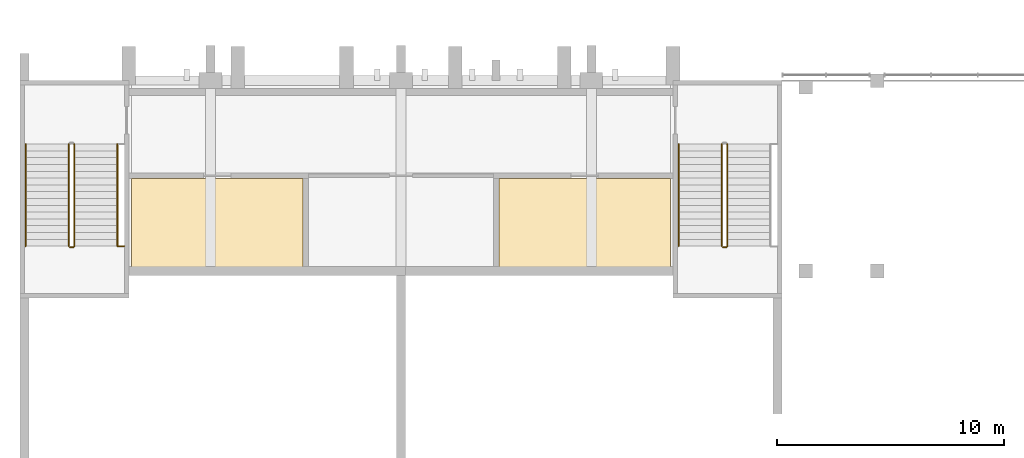
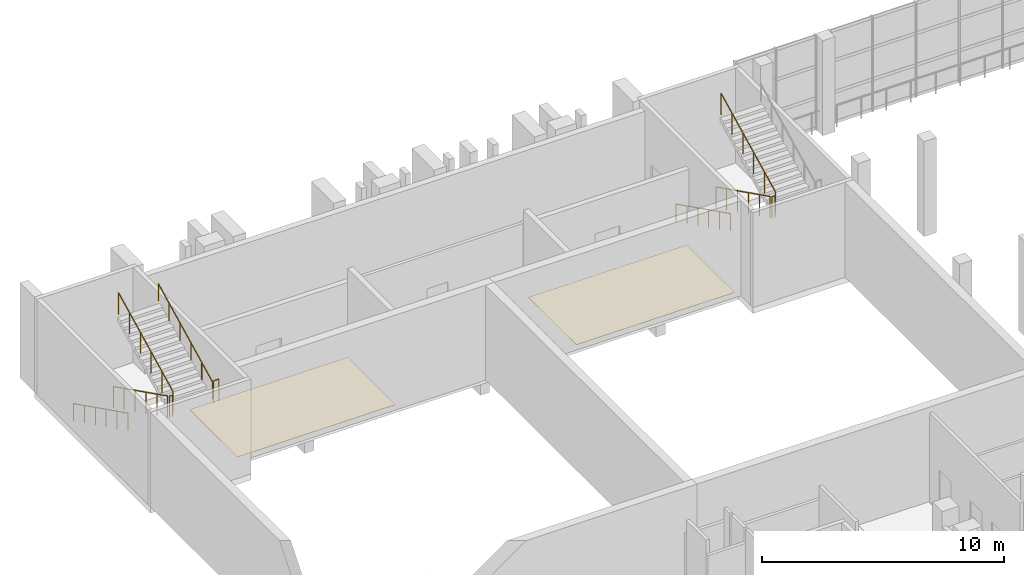
# One storey, part 73 of 91: 10 railings, 2 coverings.
"""IFC4 building model written with IfcOpenShell, lengths in metres."""

from ifc_helpers import new_model, si_unit, direction, frame, origin, origin_2d, place, context, subcontext, project, spatial, polyline, circle, outline, extrude, material, layer, layer_set, type_object, element, save


model = new_model("IFC4")

# Units and contexts
model_context = context("Model", 3, precision=1e-05, world=origin(), true_north=direction((0.0, 1.0)))
body_context = subcontext(model_context, "Body", "Model", "MODEL_VIEW")
ifc_project = project(units=[si_unit("LENGTHUNIT", "METRE"), si_unit("AREAUNIT", "SQUARE_METRE"), si_unit("VOLUMEUNIT", "CUBIC_METRE"), si_unit("PLANEANGLEUNIT", "RADIAN"), si_unit("MASSUNIT", "GRAM", prefix="KILO")], contexts=[model_context])

# Site, building, storey
site_placement = place(None, origin())
site = spatial("IfcSite", under=ifc_project, at=site_placement, CompositionType="ELEMENT")
building_placement = place(site_placement, origin())
building = spatial("IfcBuilding", under=site, at=building_placement, Name="Kiln Court Media Centre", CompositionType="ELEMENT")
storey_placement = place(building_placement, frame((0.0, 0.0, 5.39990234375)))
storey = spatial("IfcBuildingStorey", under=building, at=storey_placement, Name="L01", CompositionType="ELEMENT", Elevation=5.39990234375)

# Coverings
ifc_material_1 = material(Name="Carpet tile")
ifc_layer = layer(ifc_material_1, 0.014892578125)
ifc_layer_set = layer_set([ifc_layer], Name="Carpet tile floor finish 15")
covering_type = type_object("IfcCoveringType", Name="Carpet tile floor finish 15", PredefinedType="FLOORING", material=ifc_layer_set)
covering_1_placement = place(storey_placement, origin())
element("IfcCovering", 1, at=covering_1_placement, inside=storey, type_object=covering_type, Name="Projection Room Screen 3 floor finish", PredefinedType="FLOORING", context=body_context, shape_type="SweptSolid", body=[
    extrude(outline(polyline([(12.47998046875, 62.8798828125), (4.919921875, 62.8798828125), (4.919921875, 58.919921875), (12.47998046875, 58.919921875), (12.47998046875, 62.8798828125)])), origin(), (0.0, 0.0, 1.0), 0.01513671875),
])
covering_2_placement = place(storey_placement, origin())
element("IfcCovering", 2, at=covering_2_placement, inside=storey, type_object=covering_type, Name="Projection Room Screen 4 floor finish", PredefinedType="FLOORING", context=body_context, shape_type="SweptSolid", body=[
    extrude(outline(polyline([(21.1201171875, 58.919921875), (28.679931640625, 58.919921875), (28.679931640625, 62.8798828125), (21.1201171875, 62.8798828125), (21.1201171875, 58.919921875)])), origin(), (0.0, 0.0, 1.0), 0.01513671875),
])

# Railings
ifc_material_2 = material(Name="Steel S275", Category="steel")
railing_type_1 = type_object("IfcRailingType", Name="Steel S275 stair guard 1100", PredefinedType="GUARDRAIL", material=ifc_material_2)
railing_1_placement = place(storey_placement, frame((2.14990234375, 64.39990234375, 0.150146484375)))
element("IfcRailing", 3, at=railing_1_placement, inside=storey, type_object=railing_type_1, Name="ST-07 stair guard", PredefinedType="GUARDRAIL", context=body_context, shape_type="SweptSolid", body=[
    extrude(circle(Radius=0.02392578125, at=origin_2d()), frame((0.0, 0.0, 1.076171875), z_axis=(0.0, -0.894427191, 0.4472135955), x_axis=(1.0, 0.0, 0.0)), (0.0, 0.0, 1.0), 5.03125),
    extrude(circle(Radius=0.02099609375, at=origin_2d()), origin(), (0.0, 0.0, 1.0), 1.052001953125),
    extrude(circle(Radius=0.02099609375, at=origin_2d()), frame((0.0, -0.89990234375, 0.449951171875)), (0.0, 0.0, 1.0), 1.052001953125),
    extrude(circle(Radius=0.02099609375, at=origin_2d()), frame((0.0, -1.800048828125, 0.89990234375)), (0.0, 0.0, 1.0), 1.052001953125),
    extrude(circle(Radius=0.02099609375, at=origin_2d()), frame((0.0, -2.699951171875, 1.35009765625)), (0.0, 0.0, 1.0), 1.052001953125),
    extrude(circle(Radius=0.02099609375, at=origin_2d()), frame((0.0, -3.60009765625, 1.800048828125)), (0.0, 0.0, 1.0), 1.052001953125),
    extrude(circle(Radius=0.02099609375, at=origin_2d()), frame((0.0, -4.5, 2.25)), (0.0, 0.0, 1.0), 1.052001953125),
])
railing_2_placement = place(storey_placement, frame((2.199951171875, 59.85009765625, 2.400146484375)))
element("IfcRailing", 4, at=railing_2_placement, inside=storey, type_object=railing_type_1, Name="ST-07 stair guard", PredefinedType="GUARDRAIL", context=body_context, shape_type="SweptSolid", body=[
    extrude(circle(Radius=0.02392578125, at=origin_2d()), frame((0.0, 0.0, 1.076171875), z_axis=(1.0, 0.0, 0.0), x_axis=(0.0, 1.0, 0.0)), (0.0, 0.0, 1.0), 0.150146484375),
    extrude(circle(Radius=0.02099609375, at=origin_2d()), origin(), (0.0, 0.0, 1.0), 1.052001953125),
    extrude(circle(Radius=0.02099609375, at=origin_2d()), frame((0.150146484375, 0.0, 0.0)), (0.0, 0.0, 1.0), 1.052001953125),
])
railing_3_placement = place(storey_placement, frame((2.39990234375, 59.89990234375, 2.550048828125)))
element("IfcRailing", 5, at=railing_3_placement, inside=storey, type_object=railing_type_1, Name="ST-07 stair guard", PredefinedType="GUARDRAIL", context=body_context, shape_type="SweptSolid", body=[
    extrude(circle(Radius=0.02392578125, at=origin_2d()), frame((0.0, 0.0, 1.076171875), z_axis=(0.0, 0.894427191, 0.4472135955), x_axis=(-1.0, 0.0, 0.0)), (0.0, 0.0, 1.0), 5.03125),
    extrude(circle(Radius=0.02099609375, at=origin_2d()), origin(), (0.0, 0.0, 1.0), 1.052001953125),
    extrude(circle(Radius=0.02099609375, at=origin_2d()), frame((0.0, 0.89990234375, 0.449951171875)), (0.0, 0.0, 1.0), 1.052001953125),
    extrude(circle(Radius=0.02099609375, at=origin_2d()), frame((0.0, 1.800048828125, 0.89990234375)), (0.0, 0.0, 1.0), 1.052001953125),
    extrude(circle(Radius=0.02099609375, at=origin_2d()), frame((0.0, 2.699951171875, 1.35009765625)), (0.0, 0.0, 1.0), 1.052001953125),
    extrude(circle(Radius=0.02099609375, at=origin_2d()), frame((0.0, 3.60009765625, 1.800048828125)), (0.0, 0.0, 1.0), 1.052001953125),
    extrude(circle(Radius=0.02099609375, at=origin_2d()), frame((0.0, 4.5, 2.25)), (0.0, 0.0, 1.0), 1.052001953125),
])
railing_4_placement = place(storey_placement, frame((4.35009765625, 59.89990234375, 2.400146484375)))
element("IfcRailing", 6, at=railing_4_placement, inside=storey, type_object=railing_type_1, Name="ST-07 landing edge guard", PredefinedType="GUARDRAIL", context=body_context, shape_type="SweptSolid", body=[
    extrude(circle(Radius=0.02392578125, at=origin_2d()), frame((0.0, 0.0, 1.076171875), z_axis=(1.0, 0.0, 0.0), x_axis=(0.0, 1.0, 0.0)), (0.0, 0.0, 1.0), 0.25),
    extrude(circle(Radius=0.02099609375, at=origin_2d()), origin(), (0.0, 0.0, 1.0), 1.052001953125),
    extrude(circle(Radius=0.02099609375, at=origin_2d()), frame((0.25, 0.0, 0.0)), (0.0, 0.0, 1.0), 1.052001953125),
])
railing_5_placement = place(storey_placement, frame((30.949951171875, 64.39990234375, 0.150146484375)))
element("IfcRailing", 7, at=railing_5_placement, inside=storey, type_object=railing_type_1, Name="ST-08 stair guard", PredefinedType="GUARDRAIL", context=body_context, shape_type="SweptSolid", body=[
    extrude(circle(Radius=0.02392578125, at=origin_2d()), frame((0.0, 0.0, 1.076171875), z_axis=(0.0, -0.894427191, 0.4472135955), x_axis=(1.0, 0.0, 0.0)), (0.0, 0.0, 1.0), 5.03125),
    extrude(circle(Radius=0.02099609375, at=origin_2d()), origin(), (0.0, 0.0, 1.0), 1.052001953125),
    extrude(circle(Radius=0.02099609375, at=origin_2d()), frame((0.0, -0.89990234375, 0.449951171875)), (0.0, 0.0, 1.0), 1.052001953125),
    extrude(circle(Radius=0.02099609375, at=origin_2d()), frame((0.0, -1.800048828125, 0.89990234375)), (0.0, 0.0, 1.0), 1.052001953125),
    extrude(circle(Radius=0.02099609375, at=origin_2d()), frame((0.0, -2.699951171875, 1.35009765625)), (0.0, 0.0, 1.0), 1.052001953125),
    extrude(circle(Radius=0.02099609375, at=origin_2d()), frame((0.0, -3.60009765625, 1.800048828125)), (0.0, 0.0, 1.0), 1.052001953125),
    extrude(circle(Radius=0.02099609375, at=origin_2d()), frame((0.0, -4.5, 2.25)), (0.0, 0.0, 1.0), 1.052001953125),
])
railing_6_placement = place(storey_placement, frame((31.0, 59.85009765625, 2.400146484375)))
element("IfcRailing", 8, at=railing_6_placement, inside=storey, type_object=railing_type_1, Name="ST-08 stair guard", PredefinedType="GUARDRAIL", context=body_context, shape_type="SweptSolid", body=[
    extrude(circle(Radius=0.02392578125, at=origin_2d()), frame((0.0, 0.0, 1.076171875), z_axis=(1.0, 0.0, 0.0), x_axis=(0.0, 1.0, 0.0)), (0.0, 0.0, 1.0), 0.14990234375),
    extrude(circle(Radius=0.02099609375, at=origin_2d()), origin(), (0.0, 0.0, 1.0), 1.052001953125),
    extrude(circle(Radius=0.02099609375, at=origin_2d()), frame((0.14990234375, 0.0, 0.0)), (0.0, 0.0, 1.0), 1.052001953125),
])
railing_7_placement = place(storey_placement, frame((31.199951171875, 59.89990234375, 2.550048828125)))
element("IfcRailing", 9, at=railing_7_placement, inside=storey, type_object=railing_type_1, Name="ST-08 stair guard", PredefinedType="GUARDRAIL", context=body_context, shape_type="SweptSolid", body=[
    extrude(circle(Radius=0.02392578125, at=origin_2d()), frame((0.0, 0.0, 1.076171875), z_axis=(0.0, 0.894427191, 0.4472135955), x_axis=(-1.0, 0.0, 0.0)), (0.0, 0.0, 1.0), 5.03125),
    extrude(circle(Radius=0.02099609375, at=origin_2d()), origin(), (0.0, 0.0, 1.0), 1.052001953125),
    extrude(circle(Radius=0.02099609375, at=origin_2d()), frame((0.0, 0.89990234375, 0.449951171875)), (0.0, 0.0, 1.0), 1.052001953125),
    extrude(circle(Radius=0.02099609375, at=origin_2d()), frame((0.0, 1.800048828125, 0.89990234375)), (0.0, 0.0, 1.0), 1.052001953125),
    extrude(circle(Radius=0.02099609375, at=origin_2d()), frame((0.0, 2.699951171875, 1.35009765625)), (0.0, 0.0, 1.0), 1.052001953125),
    extrude(circle(Radius=0.02099609375, at=origin_2d()), frame((0.0, 3.60009765625, 1.800048828125)), (0.0, 0.0, 1.0), 1.052001953125),
    extrude(circle(Radius=0.02099609375, at=origin_2d()), frame((0.0, 4.5, 2.25)), (0.0, 0.0, 1.0), 1.052001953125),
])
ifc_material_3 = material(Name="Steel S275", Category="steel")
railing_type_2 = type_object("IfcRailingType", Name="Steel S275 stair handrail 900", PredefinedType="HANDRAIL", material=ifc_material_3)
railing_8_placement = place(storey_placement, frame((0.25, 64.39990234375, 0.150146484375)))
element("IfcRailing", 10, at=railing_8_placement, inside=storey, type_object=railing_type_2, Name="ST-07 stair handrail", PredefinedType="HANDRAIL", context=body_context, shape_type="SweptSolid", body=[
    extrude(circle(Radius=0.02392578125, at=origin_2d()), frame((0.0, 0.0, 0.8759765625), z_axis=(0.0, -0.894427191, 0.4472135955), x_axis=(1.0, 0.0, 0.0)), (0.0, 0.0, 1.0), 5.03125),
    extrude(circle(Radius=0.02099609375, at=origin_2d()), origin(), (0.0, 0.0, 1.0), 0.851806640625),
    extrude(circle(Radius=0.02099609375, at=origin_2d()), frame((0.0, -0.89990234375, 0.449951171875)), (0.0, 0.0, 1.0), 0.851806640625),
    extrude(circle(Radius=0.02099609375, at=origin_2d()), frame((0.0, -1.800048828125, 0.89990234375)), (0.0, 0.0, 1.0), 0.851806640625),
    extrude(circle(Radius=0.02099609375, at=origin_2d()), frame((0.0, -2.699951171875, 1.35009765625)), (0.0, 0.0, 1.0), 0.851806640625),
    extrude(circle(Radius=0.02099609375, at=origin_2d()), frame((0.0, -3.60009765625, 1.800048828125)), (0.0, 0.0, 1.0), 0.851806640625),
    extrude(circle(Radius=0.02099609375, at=origin_2d()), frame((0.0, -4.5, 2.25)), (0.0, 0.0, 1.0), 0.851806640625),
])
railing_9_placement = place(storey_placement, frame((4.300048828125, 59.89990234375, 2.550048828125)))
element("IfcRailing", 11, at=railing_9_placement, inside=storey, type_object=railing_type_2, Name="ST-07 stair handrail", PredefinedType="HANDRAIL", context=body_context, shape_type="SweptSolid", body=[
    extrude(circle(Radius=0.02392578125, at=origin_2d()), frame((0.0, 0.0, 0.8759765625), z_axis=(0.0, 0.894427191, 0.4472135955), x_axis=(-1.0, 0.0, 0.0)), (0.0, 0.0, 1.0), 5.03125),
    extrude(circle(Radius=0.02099609375, at=origin_2d()), origin(), (0.0, 0.0, 1.0), 0.851806640625),
    extrude(circle(Radius=0.02099609375, at=origin_2d()), frame((0.0, 0.89990234375, 0.449951171875)), (0.0, 0.0, 1.0), 0.851806640625),
    extrude(circle(Radius=0.02099609375, at=origin_2d()), frame((0.0, 1.800048828125, 0.89990234375)), (0.0, 0.0, 1.0), 0.851806640625),
    extrude(circle(Radius=0.02099609375, at=origin_2d()), frame((0.0, 2.699951171875, 1.35009765625)), (0.0, 0.0, 1.0), 0.851806640625),
    extrude(circle(Radius=0.02099609375, at=origin_2d()), frame((0.0, 3.60009765625, 1.800048828125)), (0.0, 0.0, 1.0), 0.851806640625),
    extrude(circle(Radius=0.02099609375, at=origin_2d()), frame((0.0, 4.5, 2.25)), (0.0, 0.0, 1.0), 0.851806640625),
])
railing_10_placement = place(storey_placement, frame((29.050048828125, 64.39990234375, 0.150146484375)))
element("IfcRailing", 12, at=railing_10_placement, inside=storey, type_object=railing_type_2, Name="ST-08 stair handrail", PredefinedType="HANDRAIL", context=body_context, shape_type="SweptSolid", body=[
    extrude(circle(Radius=0.02392578125, at=origin_2d()), frame((0.0, 0.0, 0.8759765625), z_axis=(0.0, -0.894427191, 0.4472135955), x_axis=(1.0, 0.0, 0.0)), (0.0, 0.0, 1.0), 5.03125),
    extrude(circle(Radius=0.02099609375, at=origin_2d()), origin(), (0.0, 0.0, 1.0), 0.851806640625),
    extrude(circle(Radius=0.02099609375, at=origin_2d()), frame((0.0, -0.89990234375, 0.449951171875)), (0.0, 0.0, 1.0), 0.851806640625),
    extrude(circle(Radius=0.02099609375, at=origin_2d()), frame((0.0, -1.800048828125, 0.89990234375)), (0.0, 0.0, 1.0), 0.851806640625),
    extrude(circle(Radius=0.02099609375, at=origin_2d()), frame((0.0, -2.699951171875, 1.35009765625)), (0.0, 0.0, 1.0), 0.851806640625),
    extrude(circle(Radius=0.02099609375, at=origin_2d()), frame((0.0, -3.60009765625, 1.800048828125)), (0.0, 0.0, 1.0), 0.851806640625),
    extrude(circle(Radius=0.02099609375, at=origin_2d()), frame((0.0, -4.5, 2.25)), (0.0, 0.0, 1.0), 0.851806640625),
])

save(model, "model.ifc")
